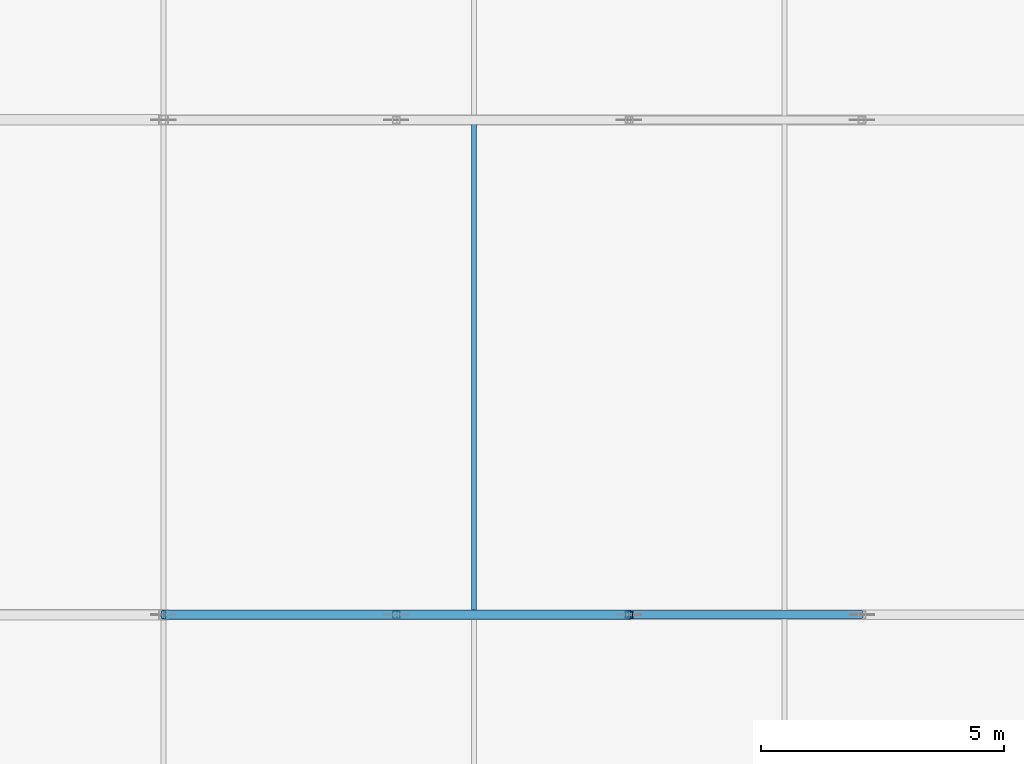
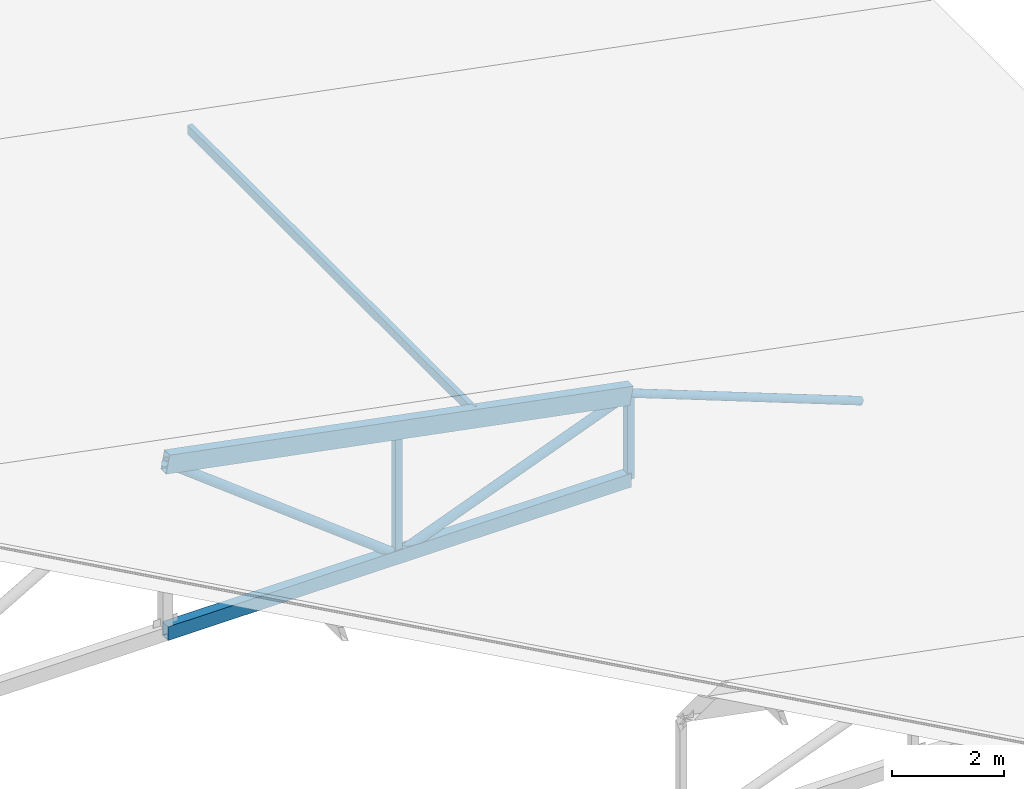
# One storey, part 59 of 200: 8 members.
"""IFC4 building model written with IfcOpenShell, lengths in metres."""

from ifc_helpers import new_model, si_unit, direction, frame, origin, origin_2d, place, context, subcontext, project, spatial, hollow_rectangle, hollow_circle, extrude, material, material_profile, profile_set, type_object, element, save


model = new_model("IFC4")

# Units and contexts
model_context = context("Model", 3, precision=1e-05, world=origin(), true_north=direction((0.0, 1.0)))
body_context = subcontext(model_context, "Body", "Model", "MODEL_VIEW")
ifc_project = project(units=[si_unit("LENGTHUNIT", "METRE"), si_unit("AREAUNIT", "SQUARE_METRE"), si_unit("VOLUMEUNIT", "CUBIC_METRE"), si_unit("PLANEANGLEUNIT", "RADIAN"), si_unit("MASSUNIT", "GRAM", prefix="KILO")], contexts=[model_context])

# Site, building, storey
site_placement = place(None, origin())
site = spatial("IfcSite", under=ifc_project, at=site_placement, CompositionType="ELEMENT")
building_placement = place(site_placement, origin())
building = spatial("IfcBuilding", under=site, at=building_placement, Name="Vondelvale Polytechnic", CompositionType="ELEMENT")
storey_placement = place(building_placement, frame((0.0, 0.0, 13.800048828125)))
storey = spatial("IfcBuildingStorey", under=building, at=storey_placement, Name="L03", CompositionType="ELEMENT", Elevation=13.800048828125)

# Members
ifc_material = material(Name="Steel C350L0 (fy = 350 MPa)", Category="steel")
ifc_material_profile_1 = material_profile(ifc_material, hollow_rectangle(XDim=0.10009765625, YDim=0.199951171875, WallThickness=0.006103515625, at=origin_2d()), Name="200x100x6.0RHS")
ifc_profile_set_1 = profile_set([ifc_material_profile_1], Name="Steel C350L0 (fy = 350 MPa)")
member_type_1 = type_object("IfcMemberType", Name="PURLIN RHS200", PredefinedType="PURLIN", material=ifc_profile_set_1)
member_1_placement = place(storey_placement, frame((35.199951171875, 81.60009765625, 2.14794921875), z_axis=(0.0, 1.0, 0.0), x_axis=(-1.0, 0.0, 0.0)))
element("IfcMember", 1, at=member_1_placement, inside=storey, type_object=member_type_1, Name="Workshop roof purlin bay 4", PredefinedType="PURLIN", context=body_context, shape_type="SweptSolid", body=[
    extrude(hollow_rectangle(XDim=0.10009765625, YDim=0.199951171875, WallThickness=0.006103515625, at=origin_2d()), origin(), (0.0, 0.0, 1.0), 10.199951171875),
])
ifc_material_profile_2 = material_profile(ifc_material, hollow_rectangle(XDim=0.199951171875, YDim=0.300048828125, WallThickness=0.008056640625, at=origin_2d()), Name="300x200x8.0RHS")
ifc_profile_set_2 = profile_set([ifc_material_profile_2], Name="Steel C350L0 (fy = 350 MPa)")
member_type_2 = type_object("IfcMemberType", Name="ROOF TRUSS BOT CHORD 300RHS", PredefinedType="CHORD", material=ifc_profile_set_2)
member_2_placement = place(storey_placement, frame((28.800048828125, 81.60009765625, -0.420166015625), z_axis=(1.0, 0.0, 0.0), x_axis=(0.0, 1.0, 0.0)))
element("IfcMember", 2, at=member_2_placement, inside=storey, type_object=member_type_2, Name="ROOF TRUSS TR-04 bottom chord 2", PredefinedType="CHORD", context=body_context, shape_type="SweptSolid", body=[
    extrude(hollow_rectangle(XDim=0.199951171875, YDim=0.300048828125, WallThickness=0.008056640625, at=origin_2d()), origin(), (0.0, 0.0, 1.0), 9.599853515625),
])
ifc_material_profile_3 = material_profile(ifc_material, hollow_circle(Radius=0.084228515625, WallThickness=0.00634765625, at=origin_2d()), Name="168.3x6.4CHS")
ifc_profile_set_3 = profile_set([ifc_material_profile_3], Name="Steel C350L0 (fy = 350 MPa)")
member_type_3 = type_object("IfcMemberType", Name="ROOF TRUSS BRACE 168CHS", PredefinedType="BRACE", material=ifc_profile_set_3)
member_3_placement = place(storey_placement, frame((38.39990234375, 81.60009765625, 1.429931640625), z_axis=(0.933089727442, 0.0, -0.359643657726), x_axis=(0.0, 1.0, 0.0)))
element("IfcMember", 3, at=member_3_placement, inside=storey, type_object=member_type_3, Name="ROOF TRUSS TR-04 web diagonal 8", PredefinedType="BRACE", context=body_context, shape_type="SweptSolid", body=[
    extrude(hollow_circle(Radius=0.084228515625, WallThickness=0.00634765625, at=origin_2d()), origin(), (0.0, 0.0, 1.0), 5.144287109375),
])
ifc_material_profile_4 = material_profile(ifc_material, hollow_circle(Radius=0.096923828125, WallThickness=0.00634765625, at=origin_2d()), Name="193.7x6.4CHS")
ifc_profile_set_4 = profile_set([ifc_material_profile_4], Name="Steel C350L0 (fy = 350 MPa)")
member_type_4 = type_object("IfcMemberType", Name="ROOF TRUSS BRACE 193CHS", PredefinedType="BRACE", material=ifc_profile_set_4)
member_4_placement = place(storey_placement, frame((28.800048828125, 81.60009765625, 3.280029296875), z_axis=(0.791997617605, 0.0, -0.610524179463), x_axis=(0.0, 1.0, 0.0)))
element("IfcMember", 4, at=member_4_placement, inside=storey, type_object=member_type_4, Name="ROOF TRUSS TR-04 web diagonal 6", PredefinedType="BRACE", context=body_context, shape_type="SweptSolid", body=[
    extrude(hollow_circle(Radius=0.096923828125, WallThickness=0.00634765625, at=origin_2d()), origin(), (0.0, 0.0, 1.0), 6.060791015625),
])
member_5_placement = place(storey_placement, frame((33.60009765625, 81.60009765625, -0.420166015625), z_axis=(0.933083588529, 0.0, 0.359659584632), x_axis=(0.0, 1.0, 0.0)))
element("IfcMember", 5, at=member_5_placement, inside=storey, type_object=member_type_4, Name="ROOF TRUSS TR-04 web diagonal 7", PredefinedType="BRACE", context=body_context, shape_type="SweptSolid", body=[
    extrude(hollow_circle(Radius=0.096923828125, WallThickness=0.00634765625, at=origin_2d()), origin(), (0.0, 0.0, 1.0), 5.14404296875),
])
ifc_material_profile_5 = material_profile(ifc_material, hollow_rectangle(XDim=0.14990234375, YDim=0.14990234375, WallThickness=0.006103515625, at=origin_2d()), Name="150x150x6.0SHS")
ifc_profile_set_5 = profile_set([ifc_material_profile_5], Name="Steel C350L0 (fy = 350 MPa)")
member_type_5 = type_object("IfcMemberType", Name="ROOF TRUSS POST 150SHS", PredefinedType="POST", material=ifc_profile_set_5)
member_6_placement = place(storey_placement, frame((33.60009765625, 81.60009765625, -0.420166015625), z_axis=(0.0, 0.0, 1.0), x_axis=(1.0, 0.0, 0.0)))
element("IfcMember", 6, at=member_6_placement, inside=storey, type_object=member_type_5, Name="ROOF TRUSS TR-04 vertical post 6", PredefinedType="POST", context=body_context, shape_type="SweptSolid", body=[
    extrude(hollow_rectangle(XDim=0.14990234375, YDim=0.14990234375, WallThickness=0.006103515625, at=origin_2d()), origin(), (0.0, 0.0, 1.0), 2.775146484375),
])
member_7_placement = place(storey_placement, frame((38.39990234375, 81.60009765625, -0.420166015625), z_axis=(0.0, 0.0, 1.0), x_axis=(1.0, 0.0, 0.0)))
element("IfcMember", 7, at=member_7_placement, inside=storey, type_object=member_type_5, Name="ROOF TRUSS TR-04 vertical post 7", PredefinedType="POST", context=body_context, shape_type="SweptSolid", body=[
    extrude(hollow_rectangle(XDim=0.14990234375, YDim=0.14990234375, WallThickness=0.006103515625, at=origin_2d()), origin(), (0.0, 0.0, 1.0), 1.85009765625),
])
ifc_material_profile_6 = material_profile(ifc_material, hollow_rectangle(XDim=0.199951171875, YDim=0.39990234375, WallThickness=0.010009765625, at=origin_2d()), Name="400x200x10.0RHS")
ifc_profile_set_6 = profile_set([ifc_material_profile_6], Name="Steel C350L0 (fy = 350 MPa)")
member_type_6 = type_object("IfcMemberType", Name="ROOF TRUSS TOP CHORD 400RHS", PredefinedType="CHORD", material=ifc_profile_set_6)
member_8_placement = place(storey_placement, frame((28.800048828125, 81.60009765625, 3.280029296875), z_axis=(0.981931024806, 0.0, -0.189239167518), x_axis=(0.0, 1.0, 0.0)))
element("IfcMember", 8, at=member_8_placement, inside=storey, type_object=member_type_6, Name="ROOF TRUSS TR-04 top chord 4", PredefinedType="CHORD", context=body_context, shape_type="SweptSolid", body=[
    extrude(hollow_rectangle(XDim=0.199951171875, YDim=0.39990234375, WallThickness=0.010009765625, at=origin_2d()), origin(), (0.0, 0.0, 1.0), 9.776611328125),
])

save(model, "model.ifc")
